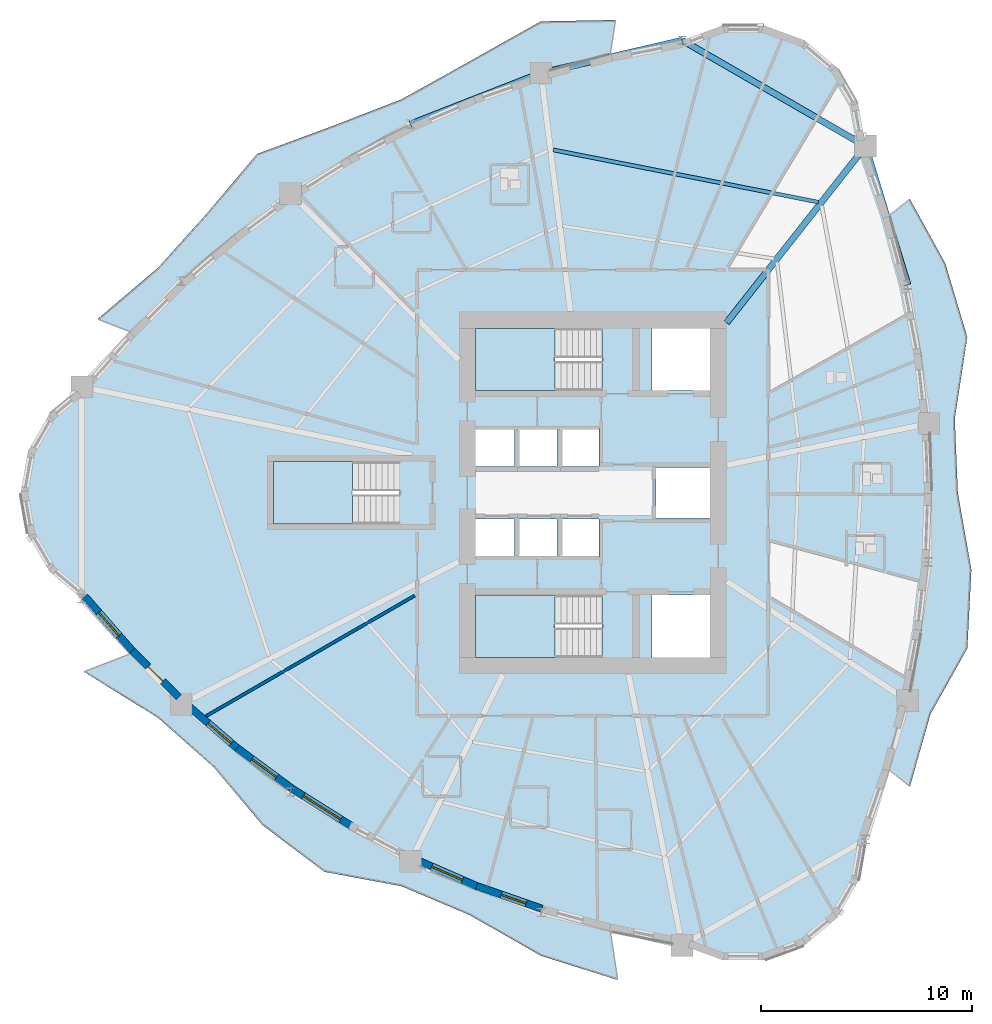
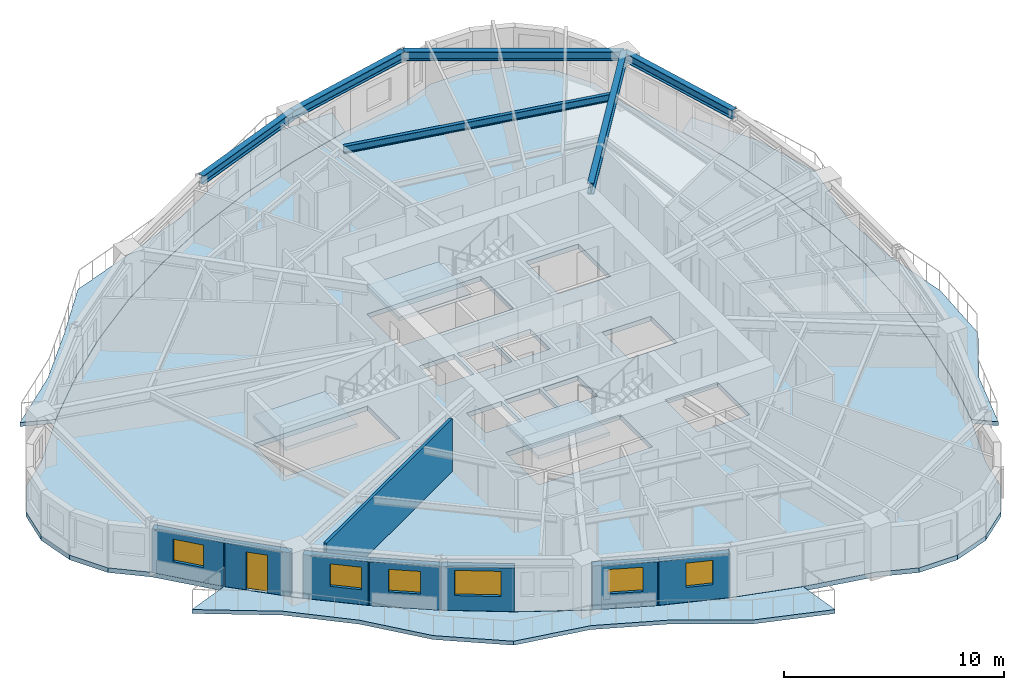
# One storey, part 2 of 13: 8 walls, 7 slabs, 6 beams, 6 windows, 1 door, 7 openings, 3 elements without a shape of their own.
"""IFC4 building model written with IfcOpenShell, lengths in metres."""

from ifc_helpers import new_model, si_unit, direction, frame, frame_2d, origin, origin_2d, place, context, subcontext, project, spatial, polyline, rectangle, i_section, outline, extrude, source, transform, mapped, material, layer, layer_set, material_profile, profile_set, type_object, element, fill, aggregate, save


model = new_model("IFC4")

# Units and contexts
model_context = context("Model", 3, precision=1e-05, world=origin(), true_north=direction((0.0, 1.0)))
body_context = subcontext(model_context, "Body", "Model", "MODEL_VIEW")
ifc_project = project(units=[si_unit("LENGTHUNIT", "METRE"), si_unit("AREAUNIT", "SQUARE_METRE"), si_unit("VOLUMEUNIT", "CUBIC_METRE"), si_unit("PLANEANGLEUNIT", "RADIAN"), si_unit("MASSUNIT", "GRAM", prefix="KILO")], contexts=[model_context])

# Site, building, storey
site_placement = place(None, origin())
site = spatial("IfcSite", under=ifc_project, at=site_placement, CompositionType="ELEMENT")
building_placement = place(site_placement, origin())
building = spatial("IfcBuilding", under=site, at=building_placement, Name="Qafzar Sky-Pleat Residences", CompositionType="ELEMENT")
storey_placement = place(building_placement, frame((0.0, 0.0, 49.39990234375)))
storey = spatial("IfcBuildingStorey", under=building, at=storey_placement, Name="L14", CompositionType="ELEMENT", Elevation=49.39990234375)

# Beams
ifc_material_1 = material(Name="Steel S355", Category="steel")
ifc_material_profile_1 = material_profile(ifc_material_1, i_section(OverallWidth=0.300048828125, OverallDepth=0.5, WebThickness=0.014404296875, FlangeThickness=0.028076171875, FilletRadius=0.027099609375, at=origin_2d()), Name="HEB 500")
ifc_profile_set_1 = profile_set([ifc_material_profile_1], Name="Steel S355")
beam_type_1 = type_object("IfcBeamType", Name="BM-SPAN-HEB500", PredefinedType="SPANDREL", material=ifc_profile_set_1)
shared_shape_1 = source(origin(), body_context, "Body", "SweptSolid", [
    extrude(i_section(OverallWidth=0.300048828125, OverallDepth=0.5, WebThickness=0.014404296875, FlangeThickness=0.028076171875, FilletRadius=0.027099609375, at=origin_2d()), origin(), (0.0, 0.0, 1.0), 10.0458984375),
])
beam_1_placement = place(storey_placement, frame((43.2900390625, 42.437255859375, 2.68798828125), z_axis=(-0.866024107753, 0.500002244785, 0.0), x_axis=(-0.500002244785, -0.866024107753, 0.0)))
element("IfcBeam", 1, at=beam_1_placement, inside=storey, type_object=beam_type_1, Name="L14 Perimeter Spandrel Beam 13", PredefinedType="SPANDREL", context=body_context, shape_type="MappedRepresentation", body=[
    mapped(shared_shape_1, transform((0.0, 0.0, 0.0), x_axis=(1.0, 0.0, 0.0), y_axis=(0.0, 1.0, 0.0), z_axis=(0.0, 0.0, 1.0), scale=1.0)),
])
shared_shape_2 = source(origin(), body_context, "Body", "SweptSolid", [
    extrude(i_section(OverallWidth=0.300048828125, OverallDepth=0.5, WebThickness=0.014404296875, FlangeThickness=0.028076171875, FilletRadius=0.027099609375, at=origin_2d()), origin(), (0.0, 0.0, 1.0), 6.8720703125),
])
for number, where, z_axis, x_axis, name in (
    (2, (45.288818359375, 35.8623046875, 2.68798828125), (-0.290856244324, 0.956766766322, 0.0), (-0.956766766322, -0.290856244324, 0.0), "L14 Perimeter Spandrel Beam 12"),
    (3, (34.590087890625, 47.460205078125, 2.68798828125), (-0.974016228914, -0.226478223705, 0.0), (0.226478223705, -0.974016228914, 0.0), "L14 Perimeter Spandrel Beam 14"),
):
    element("IfcBeam", number, at=place(storey_placement, frame(where, z_axis=z_axis, x_axis=x_axis)), inside=storey, type_object=beam_type_1, Name=name, PredefinedType="SPANDREL", context=body_context, shape_type="MappedRepresentation", body=[
        mapped(shared_shape_2, transform((0.0, 0.0, 0.0), x_axis=(1.0, 0.0, 0.0), y_axis=(0.0, 1.0, 0.0), z_axis=(0.0, 0.0, 1.0), scale=1.0)),
    ])
shared_shape_3 = source(origin(), body_context, "Body", "SweptSolid", [
    extrude(i_section(OverallWidth=0.300048828125, OverallDepth=0.5, WebThickness=0.014404296875, FlangeThickness=0.028076171875, FilletRadius=0.027099609375, at=origin_2d()), origin(), (0.0, 0.0, 1.0), 6.650390625),
])
beam_2_placement = place(storey_placement, frame((27.896484375, 45.90380859375, 2.68798828125), z_axis=(-0.931317505809, -0.364208324141, 0.0), x_axis=(0.364208324141, -0.931317505809, 0.0)))
element("IfcBeam", 4, at=beam_2_placement, inside=storey, type_object=beam_type_1, Name="L14 Perimeter Spandrel Beam 15", PredefinedType="SPANDREL", context=body_context, shape_type="MappedRepresentation", body=[
    mapped(shared_shape_3, transform((0.0, 0.0, 0.0), x_axis=(1.0, 0.0, 0.0), y_axis=(0.0, 1.0, 0.0), z_axis=(0.0, 0.0, 1.0), scale=1.0)),
])
ifc_material_profile_2 = material_profile(ifc_material_1, i_section(OverallWidth=0.300048828125, OverallDepth=0.60009765625, WebThickness=0.015380859375, FlangeThickness=0.030029296875, FilletRadius=0.027099609375, at=origin_2d()), Name="HEB 600")
ifc_profile_set_2 = profile_set([ifc_material_profile_2], Name="Steel S355")
beam_type_2 = type_object("IfcBeamType", Name="BM-GIRD-HEB600", PredefinedType="BEAM", material=ifc_profile_set_2)
shared_shape_4 = source(origin(), body_context, "Body", "SweptSolid", [
    extrude(i_section(OverallWidth=0.300048828125, OverallDepth=0.60009765625, WebThickness=0.015380859375, FlangeThickness=0.030029296875, FilletRadius=0.027099609375, at=origin_2d()), origin(), (0.0, 0.0, 1.0), 10.65380859375),
])
beam_3_placement = place(storey_placement, frame((43.2900390625, 42.437255859375, 2.63818359375), z_axis=(-0.618564121577, -0.785734323737, 0.0), x_axis=(0.785734323737, -0.618564121577, 0.0)))
element("IfcBeam", 5, at=beam_3_placement, inside=storey, type_object=beam_type_2, Name="L14 Radial Floor Girder 13", PredefinedType="BEAM", context=body_context, shape_type="MappedRepresentation", body=[
    mapped(shared_shape_4, transform((0.0, 0.0, 0.0), x_axis=(1.0, 0.0, 0.0), y_axis=(0.0, 1.0, 0.0), z_axis=(0.0, 0.0, 1.0), scale=1.0)),
])
ifc_material_profile_3 = material_profile(ifc_material_1, i_section(OverallWidth=0.179931640625, OverallDepth=0.39990234375, WebThickness=0.008544921875, FlangeThickness=0.013427734375, FilletRadius=0.02099609375, at=origin_2d()), Name="IPE 400")
ifc_profile_set_3 = profile_set([ifc_material_profile_3], Name="Steel S355")
beam_type_3 = type_object("IfcBeamType", Name="BM-JST-IPE400", PredefinedType="JOIST", material=ifc_profile_set_3)
shared_shape_5 = source(origin(), body_context, "Body", "SweptSolid", [
    extrude(i_section(OverallWidth=0.179931640625, OverallDepth=0.39990234375, WebThickness=0.008544921875, FlangeThickness=0.013427734375, FilletRadius=0.02099609375, at=origin_2d()), origin(), (0.0, 0.0, 1.0), 12.815185546875),
])
beam_4_placement = place(storey_placement, frame((41.048583984375, 39.78466796875, 2.738037109375), z_axis=(-0.981160312163, 0.19319534631, 0.0), x_axis=(-0.19319534631, -0.981160312163, 0.0)))
element("IfcBeam", 6, at=beam_4_placement, inside=storey, type_object=beam_type_3, Name="L14 Outer Secondary Floor Joist 7", PredefinedType="JOIST", context=body_context, shape_type="MappedRepresentation", body=[
    mapped(shared_shape_5, transform((0.0, 0.0, 0.0), x_axis=(1.0, 0.0, 0.0), y_axis=(0.0, 1.0, 0.0), z_axis=(0.0, 0.0, 1.0), scale=1.0)),
])

# Slabs
ifc_material_2 = material(Name="Concrete C40/50", Category="concrete")
ifc_layer_1 = layer(ifc_material_2, 0.219970703125)
ifc_layer_set_1 = layer_set([ifc_layer_1], Name="Concrete C40/50")
slab_type_1 = type_object("IfcSlabType", Name="SLAB-BAL-220", PredefinedType="USERDEFINED", material=ifc_layer_set_1)
slab_1_placement = place(storey_placement, frame((0.0, 0.0, -0.219970703125)))
element("IfcSlab", 7, at=slab_1_placement, inside=storey, type_object=slab_type_1, Name="L14 Pleated Stone Balcony 1", ObjectType="BALCONY", PredefinedType="USERDEFINED", context=body_context, shape_type="SweptSolid", body=[
    extrude(outline(polyline([(45.29931640625, 16.1318359375), (45.9248046875, 19.4208984375), (46.2998046875, 22.71044921875), (46.425048828125, 26.0), (46.2998046875, 29.28955078125), (45.9248046875, 32.5791015625), (45.29931640625, 35.8681640625), (44.423583984375, 39.1572265625), (45.389892578125, 39.93115234375), (47.069580078125, 36.878173828125), (48.11279296875, 33.382080078125), (47.518310546875, 29.508544921875), (47.6630859375, 26.0), (48.305908203125, 22.349853515625), (48.11279296875, 18.617919921875), (46.37451171875, 15.518310546875), (45.389892578125, 12.06884765625), (44.423583984375, 12.8427734375), (45.29931640625, 16.1318359375)])), origin(), (0.0, 0.0, 1.0), 0.219970703125),
])
slab_2_placement = place(storey_placement, frame((0.0, 0.0, -0.219970703125)))
element("IfcSlab", 8, at=slab_2_placement, inside=storey, type_object=slab_type_1, Name="L14 Pleated Stone Balcony 2", ObjectType="BALCONY", PredefinedType="USERDEFINED", context=body_context, shape_type="SweptSolid", body=[
    extrude(outline(polyline([(27.896484375, 45.915771484375), (24.735107421875, 44.812744140625), (21.69873046875, 43.492919921875), (18.78759765625, 41.95654296875), (16.001220703125, 40.20361328125), (13.340087890625, 38.233642578125), (10.80419921875, 36.047607421875), (8.3935546875, 33.644775390625), (6.867431640625, 34.23974609375), (9.7353515625, 36.672119140625), (12.08251953125, 39.283203125), (14.427734375, 42.06591796875), (17.968505859375, 43.375), (21.279296875, 44.65771484375), (24.455078125, 46.426513671875), (27.8837890625, 48.353759765625), (31.430419921875, 48.421142578125), (31.1826171875, 46.802001953125), (27.896484375, 45.915771484375)])), origin(), (0.0, 0.0, 1.0), 0.219970703125),
])
slab_3_placement = place(storey_placement, frame((0.0, 0.0, -0.219970703125)))
element("IfcSlab", 9, at=slab_3_placement, inside=storey, type_object=slab_type_1, Name="L14 Pleated Stone Balcony 3", ObjectType="BALCONY", PredefinedType="USERDEFINED", context=body_context, shape_type="SweptSolid", body=[
    extrude(outline(polyline([(10.80419921875, 15.952392578125), (13.340087890625, 13.766357421875), (16.001220703125, 11.79638671875), (18.78759765625, 10.04345703125), (21.69873046875, 8.507080078125), (24.735107421875, 7.187255859375), (27.896484375, 6.084228515625), (31.1826171875, 5.197998046875), (31.53515625, 2.89404296875), (27.885986328125, 4.04638671875), (24.523681640625, 5.967529296875), (21.279296875, 7.34228515625), (17.6220703125, 8.02490234375), (14.68603515625, 10.23974609375), (12.3896484375, 12.97314453125), (9.7353515625, 15.327880859375), (6.221923828125, 17.508544921875), (8.3935546875, 18.355224609375), (10.80419921875, 15.952392578125)])), origin(), (0.0, 0.0, 1.0), 0.219970703125),
])
ifc_layer_2 = layer(ifc_material_2, 0.260009765625)
ifc_layer_set_2 = layer_set([ifc_layer_2], Name="Concrete C40/50")
slab_type_2 = type_object("IfcSlabType", Name="SLAB-FLR-260", PredefinedType="FLOOR", material=ifc_layer_set_2)
slab_4_placement = place(storey_placement, frame((0.0, 0.0, -0.260009765625)))
element("IfcSlab", 10, at=slab_4_placement, inside=storey, type_object=slab_type_2, Name="L14 Structural Floor Slab", PredefinedType="FLOOR", context=body_context, shape_type="SweptSolid", body=[
    extrude(outline(polyline([(6.1201171875, 31.02294921875), (4.576904296875, 29.728271484375), (3.56982421875, 27.983642578125), (3.219970703125, 26.0), (3.56982421875, 24.016357421875), (4.576904296875, 22.271728515625), (6.1201171875, 20.97705078125), (8.40478515625, 18.359619140625), (10.814697265625, 15.95849609375), (13.349365234375, 13.77392578125), (16.0087890625, 11.8056640625), (18.79345703125, 10.0537109375), (21.702880859375, 8.518310546875), (24.7373046875, 7.19921875), (27.896484375, 6.09619140625), (31.180908203125, 5.2099609375), (34.590087890625, 4.539794921875), (36.48291015625, 3.85107421875), (38.497314453125, 3.85107421875), (40.389892578125, 4.539794921875), (41.93310546875, 5.834716796875), (42.940185546875, 7.5791015625), (43.2900390625, 9.562744140625), (44.414306640625, 12.850341796875), (45.288818359375, 16.1376953125), (45.913330078125, 19.425048828125), (46.2880859375, 22.712646484375), (46.4130859375, 26.0), (46.2880859375, 29.287353515625), (45.913330078125, 32.574951171875), (45.288818359375, 35.8623046875), (44.414306640625, 39.149658203125), (43.2900390625, 42.437255859375), (42.940185546875, 44.4208984375), (41.93310546875, 46.165283203125), (40.389892578125, 47.460205078125), (38.497314453125, 48.14892578125), (36.48291015625, 48.14892578125), (34.590087890625, 47.460205078125), (31.180908203125, 46.7900390625), (27.896484375, 45.90380859375), (24.7373046875, 44.80078125), (21.702880859375, 43.481689453125), (18.79345703125, 41.9462890625), (16.0087890625, 40.1943359375), (13.349365234375, 38.22607421875), (10.814697265625, 36.04150390625), (8.40478515625, 33.640380859375), (6.1201171875, 31.02294921875)]), holes=[polyline([(30.797119140625, 21.14990234375), (24.800048828125, 21.14990234375), (24.800048828125, 18.199951171875), (30.797119140625, 18.199951171875), (30.797119140625, 21.14990234375)]), polyline([(30.797119140625, 33.800048828125), (24.800048828125, 33.800048828125), (24.800048828125, 30.85009765625), (30.797119140625, 30.85009765625), (30.797119140625, 33.800048828125)]), polyline([(21.197021484375, 27.47509765625), (15.199951171875, 27.47509765625), (15.199951171875, 24.52490234375), (21.197021484375, 24.52490234375), (21.197021484375, 27.47509765625)]), polyline([(24.800048828125, 22.949951171875), (26.64990234375, 22.949951171875), (26.64990234375, 24.75), (24.800048828125, 24.75), (24.800048828125, 22.949951171875)]), polyline([(26.800048828125, 22.949951171875), (28.64990234375, 22.949951171875), (28.64990234375, 24.75), (26.800048828125, 24.75), (26.800048828125, 22.949951171875)]), polyline([(28.800048828125, 22.949951171875), (30.64990234375, 22.949951171875), (30.64990234375, 24.75), (28.800048828125, 24.75), (28.800048828125, 22.949951171875)]), polyline([(24.800048828125, 27.25), (26.64990234375, 27.25), (26.64990234375, 29.050048828125), (24.800048828125, 29.050048828125), (24.800048828125, 27.25)]), polyline([(26.800048828125, 27.25), (28.64990234375, 27.25), (28.64990234375, 29.050048828125), (26.800048828125, 29.050048828125), (26.800048828125, 27.25)]), polyline([(28.800048828125, 27.25), (30.64990234375, 27.25), (30.64990234375, 29.050048828125), (28.800048828125, 29.050048828125), (28.800048828125, 27.25)]), polyline([(33.14990234375, 18.199951171875), (35.89990234375, 18.199951171875), (35.89990234375, 21.14990234375), (33.14990234375, 21.14990234375), (33.14990234375, 18.199951171875)]), polyline([(33.14990234375, 30.85009765625), (35.89990234375, 30.85009765625), (35.89990234375, 33.800048828125), (33.14990234375, 33.800048828125), (33.14990234375, 30.85009765625)]), polyline([(33.35009765625, 24.800048828125), (35.89990234375, 24.800048828125), (35.89990234375, 27.199951171875), (33.35009765625, 27.199951171875), (33.35009765625, 24.800048828125)])]), origin(), (0.0, 0.0, 1.0), 0.260009765625),
])

# Stair, slab
stair_type = type_object("IfcStairType", Name="STAIR-H320", PredefinedType="HALF_TURN_STAIR", material=ifc_material_2)
stair_1_placement = place(storey_placement, origin())
stair_1 = element("IfcStair", 11, at=stair_1_placement, inside=storey, type_object=stair_type, Name="L14 Protected Exit Stair ST1", PredefinedType="HALF_TURN_STAIR")
ifc_layer_3 = layer(ifc_material_2, 0.199951171875)
ifc_layer_set_3 = layer_set([ifc_layer_3], Name="Concrete C40/50")
slab_type_3 = type_object("IfcSlabType", Name="SLAB-LANDING-200", PredefinedType="LANDING", material=ifc_layer_set_3)
slab_5_placement = place(storey_placement, frame((0.0, 0.0, 1.400146484375)))
slab_5 = element("IfcSlab", 12, at=slab_5_placement, type_object=slab_type_3, Name="ST1 landing 1", PredefinedType="LANDING", context=body_context, shape_type="SweptSolid", body=[
    extrude(outline(polyline([(28.56005859375, 21.14990234375), (24.800048828125, 21.14990234375), (24.800048828125, 18.199951171875), (28.56005859375, 18.199951171875), (28.56005859375, 21.14990234375)])), origin(), (0.0, 0.0, 1.0), 0.199951171875),
])
aggregate(stair_1, [slab_5])

stair_2_placement = place(storey_placement, origin())
stair_2 = element("IfcStair", 13, at=stair_2_placement, inside=storey, type_object=stair_type, Name="L14 Protected Exit Stair ST2", PredefinedType="HALF_TURN_STAIR")
slab_6_placement = place(storey_placement, frame((0.0, 0.0, 1.400146484375)))
slab_6 = element("IfcSlab", 14, at=slab_6_placement, type_object=slab_type_3, Name="ST2 landing 1", PredefinedType="LANDING", context=body_context, shape_type="SweptSolid", body=[
    extrude(outline(polyline([(28.56005859375, 33.800048828125), (24.800048828125, 33.800048828125), (24.800048828125, 30.85009765625), (28.56005859375, 30.85009765625), (28.56005859375, 33.800048828125)])), origin(), (0.0, 0.0, 1.0), 0.199951171875),
])
aggregate(stair_2, [slab_6])

stair_3_placement = place(storey_placement, origin())
stair_3 = element("IfcStair", 15, at=stair_3_placement, inside=storey, type_object=stair_type, Name="L14 Protected Exit Stair ST3", PredefinedType="HALF_TURN_STAIR")
slab_7_placement = place(storey_placement, frame((0.0, 0.0, 1.400146484375)))
slab_7 = element("IfcSlab", 16, at=slab_7_placement, type_object=slab_type_3, Name="ST3 landing 1", PredefinedType="LANDING", context=body_context, shape_type="SweptSolid", body=[
    extrude(outline(polyline([(18.9599609375, 27.47509765625), (15.199951171875, 27.47509765625), (15.199951171875, 24.52490234375), (18.9599609375, 24.52490234375), (18.9599609375, 27.47509765625)])), origin(), (0.0, 0.0, 1.0), 0.199951171875),
])
aggregate(stair_3, [slab_7])

# Wall
ifc_material_3 = material(Name="Acoustic gypsum plasterboard partition", Category="gypsum")
ifc_layer_4 = layer(ifc_material_3, 0.14501953125)
ifc_layer_set_4 = layer_set([ifc_layer_4], Name="Acoustic gypsum plasterboard partition")
wall_type_1 = type_object("IfcWallType", Name="PART-UNIT-145", PredefinedType="PARTITIONING", material=ifc_layer_set_4)
wall_1_placement = place(storey_placement, frame((12.0087890625, 15.406494140625, 0.0), z_axis=(0.0, 0.0, 1.0), x_axis=(0.865925986209, 0.500172156771, 0.0)))
element("IfcWall", 17, at=wall_1_placement, inside=storey, type_object=wall_type_1, Name="L14 Partition Wall PART-L14-PW-033", PredefinedType="PARTITIONING", context=body_context, shape_type="SweptSolid", body=[
    extrude(rectangle(XDim=11.4189453125, YDim=0.14501953125, at=frame_2d((5.70947265625, 0.0))), origin(), (0.0, 0.0, 1.0), 2.940185546875),
])

# Wall, opening, window
ifc_material_4 = material(Name="Precast concrete C40/50 with honed Riyadh limestone", Category="concrete")
ifc_layer_5 = layer(ifc_material_4, 0.35009765625)
ifc_layer_set_5 = layer_set([ifc_layer_5], Name="Precast concrete C40/50 with honed Riyadh limestone")
wall_type_2 = type_object("IfcWallType", Name="WALL-EXT-350", PredefinedType="SOLIDWALL", material=ifc_layer_set_5)
wall_2_placement = place(storey_placement, frame((6.264892578125, 21.0771484375, 0.0), z_axis=(0.0, 0.0, 1.0), x_axis=(0.657633089408, -0.753338383275, 0.0)))
wall_2 = element("IfcWall", 18, at=wall_2_placement, inside=storey, type_object=wall_type_2, Name="L14 Limestone Facade Wall 7", PredefinedType="SOLIDWALL", context=body_context, shape_type="SweptSolid", body=[
    extrude(rectangle(XDim=3.4921875, YDim=0.35009765625, at=frame_2d((1.74609375, 0.0))), origin(), (0.0, 0.0, 1.0), 2.420166015625),
])
opening_1_placement = place(wall_2_placement, frame((1.01123046875, 0.0, 0.820068359375)))
opening_1 = element("IfcOpeningElement", 19, at=opening_1_placement, cuts=wall_2, Name="Opening WN-15", PredefinedType="OPENING", context=body_context, shape_type="SweptSolid", body=[
    extrude(rectangle(XDim=1.449951171875, YDim=1.25, at=frame_2d((0.72509765625, 0.625))), frame((0.0, 0.18505859375, 0.0), z_axis=(0.0, -1.0, 0.0), x_axis=(1.0, 0.0, 0.0)), (0.0, 0.0, 1.0), 0.3701171875),
])
ifc_material_5 = material(Name="Solar-control low-E glass in bronze aluminium frame", Category="glass")
window_type_1 = type_object("IfcWindowType", Name="WIN-15", PartitioningType="SINGLE_PANEL", PredefinedType="WINDOW", material=ifc_material_5)
shared_shape_6 = source(origin(), body_context, "Body", "SweptSolid", [
    extrude(rectangle(XDim=1.449951171875, YDim=1.25, at=frame_2d((0.72509765625, 0.625))), frame((0.0, 0.030029296875, 0.0), z_axis=(0.0, -1.0, 0.0), x_axis=(1.0, 0.0, 0.0)), (0.0, 0.0, 1.0), 0.06005859375),
])
window_1_placement = place(opening_1_placement, origin())
window_1 = element("IfcWindow", 20, at=window_1_placement, inside=storey, type_object=window_type_1, Name="L14 Punched Facade Window 07", OverallHeight=1.25, OverallWidth=1.449951171875, PartitioningType="SINGLE_PANEL", PredefinedType="WINDOW", context=body_context, shape_type="MappedRepresentation", body=[
    mapped(shared_shape_6, transform((0.0, 0.0, 0.0), x_axis=(1.0, 0.0, 0.0), y_axis=(0.0, 1.0, 0.0), z_axis=(0.0, 0.0, 1.0), scale=1.0)),
])
fill(opening_1, window_1)

# Wall, opening, door
wall_3_placement = place(storey_placement, frame((8.50146484375, 18.510498046875, 0.0), z_axis=(0.0, 0.0, 1.0), x_axis=(0.708349769787, -0.705861603746, 0.0)))
wall_3 = element("IfcWall", 21, at=wall_3_placement, inside=storey, type_object=wall_type_2, Name="L14 Limestone Facade Wall 8", PredefinedType="SOLIDWALL", context=body_context, shape_type="SweptSolid", body=[
    extrude(rectangle(XDim=3.139892578125, YDim=0.35009765625, at=frame_2d((1.56982421875, 0.0))), origin(), (0.0, 0.0, 1.0), 2.420166015625),
])
opening_2_placement = place(wall_3_placement, frame((1.06982421875, 0.0, 0.0)))
opening_2 = element("IfcOpeningElement", 22, at=opening_2_placement, cuts=wall_3, Name="Opening ED-05", PredefinedType="OPENING", context=body_context, shape_type="SweptSolid", body=[
    extrude(rectangle(XDim=1.0, YDim=2.10009765625, at=frame_2d((0.5, 1.050048828125))), frame((0.0, 0.18505859375, 0.0), z_axis=(0.0, -1.0, 0.0), x_axis=(1.0, 0.0, 0.0)), (0.0, 0.0, 1.0), 0.3701171875),
])
ifc_material_6 = material(Name="Glazed bronze aluminium door", Category="aluminium")
door_type = type_object("IfcDoorType", Name="DR-BAL-1000", OperationType="NOTDEFINED", PredefinedType="DOOR", material=ifc_material_6)
shared_shape_7 = source(origin(), body_context, "Body", "SweptSolid", [
    extrude(rectangle(XDim=1.0, YDim=2.10009765625, at=frame_2d((0.5, 1.050048828125))), frame((0.0, 0.02490234375, 0.0), z_axis=(0.0, -1.0, 0.0), x_axis=(1.0, 0.0, 0.0)), (0.0, 0.0, 1.0), 0.050048828125),
])
door_placement = place(opening_2_placement, origin())
door = element("IfcDoor", 23, at=door_placement, inside=storey, type_object=door_type, Name="L14 Glazed Balcony Door 3", OperationType="SINGLE_SWING_LEFT", OverallHeight=2.10009765625, OverallWidth=1.0, PredefinedType="DOOR", context=body_context, shape_type="MappedRepresentation", body=[
    mapped(shared_shape_7, transform((0.0, 0.0, 0.0), x_axis=(1.0, 0.0, 0.0), y_axis=(0.0, 1.0, 0.0), z_axis=(0.0, 0.0, 1.0), scale=1.0)),
])
fill(opening_2, door)

# Wall, opening, window
wall_4_placement = place(storey_placement, frame((11.156005859375, 15.895263671875, 0.0), z_axis=(0.0, 0.0, 1.0), x_axis=(0.757493652432, -0.652842528123, 0.0)))
wall_4 = element("IfcWall", 24, at=wall_4_placement, inside=storey, type_object=wall_type_2, Name="L14 Limestone Facade Wall 9", PredefinedType="SOLIDWALL", context=body_context, shape_type="SweptSolid", body=[
    extrude(rectangle(XDim=3.083984375, YDim=0.35009765625, at=frame_2d((1.5419921875, 0.0))), origin(), (0.0, 0.0, 1.0), 2.420166015625),
])
opening_3_placement = place(wall_4_placement, frame((1.256103515625, 0.0, 0.820068359375)))
opening_3 = element("IfcOpeningElement", 25, at=opening_3_placement, cuts=wall_4, Name="Opening WN-15", PredefinedType="OPENING", context=body_context, shape_type="SweptSolid", body=[
    extrude(rectangle(XDim=1.449951171875, YDim=1.25, at=frame_2d((0.72509765625, 0.625))), frame((0.0, 0.18505859375, 0.0), z_axis=(0.0, -1.0, 0.0), x_axis=(1.0, 0.0, 0.0)), (0.0, 0.0, 1.0), 0.3701171875),
])
window_2_placement = place(opening_3_placement, origin())
window_2 = element("IfcWindow", 26, at=window_2_placement, inside=storey, type_object=window_type_1, Name="L14 Punched Facade Window 09-2", OverallHeight=1.25, OverallWidth=1.449951171875, PartitioningType="SINGLE_PANEL", PredefinedType="WINDOW", context=body_context, shape_type="MappedRepresentation", body=[
    mapped(shared_shape_6, transform((0.0, 0.0, 0.0), x_axis=(1.0, 0.0, 0.0), y_axis=(0.0, 1.0, 0.0), z_axis=(0.0, 0.0, 1.0), scale=1.0)),
])
fill(opening_3, window_2)

wall_5_placement = place(storey_placement, frame((13.4228515625, 13.937255859375, 0.0), z_axis=(0.0, 0.0, 1.0), x_axis=(0.803814527371, -0.594879992593, 0.0)))
wall_5 = element("IfcWall", 27, at=wall_5_placement, inside=storey, type_object=wall_type_2, Name="L14 Limestone Facade Wall 10", PredefinedType="SOLIDWALL", context=body_context, shape_type="SweptSolid", body=[
    extrude(rectangle(XDim=3.32666015625, YDim=0.35009765625, at=frame_2d((1.663330078125, 0.0))), origin(), (0.0, 0.0, 1.0), 2.420166015625),
])
opening_4_placement = place(wall_5_placement, frame((0.948486328125, 0.0, 0.820068359375)))
opening_4 = element("IfcOpeningElement", 28, at=opening_4_placement, cuts=wall_5, Name="Opening WN-15", PredefinedType="OPENING", context=body_context, shape_type="SweptSolid", body=[
    extrude(rectangle(XDim=1.449951171875, YDim=1.25, at=frame_2d((0.72509765625, 0.625))), frame((0.0, 0.18505859375, 0.0), z_axis=(0.0, -1.0, 0.0), x_axis=(1.0, 0.0, 0.0)), (0.0, 0.0, 1.0), 0.3701171875),
])
window_3_placement = place(opening_4_placement, origin())
window_3 = element("IfcWindow", 29, at=window_3_placement, inside=storey, type_object=window_type_1, Name="L14 Punched Facade Window 10", OverallHeight=1.25, OverallWidth=1.449951171875, PartitioningType="SINGLE_PANEL", PredefinedType="WINDOW", context=body_context, shape_type="MappedRepresentation", body=[
    mapped(shared_shape_6, transform((0.0, 0.0, 0.0), x_axis=(1.0, 0.0, 0.0), y_axis=(0.0, 1.0, 0.0), z_axis=(0.0, 0.0, 1.0), scale=1.0)),
])
fill(opening_4, window_3)

wall_6_placement = place(storey_placement, frame((16.118896484375, 11.943115234375, 0.0), z_axis=(0.0, 0.0, 1.0), x_axis=(0.846439828925, -0.532484381, 0.0)))
wall_6 = element("IfcWall", 30, at=wall_6_placement, inside=storey, type_object=wall_type_2, Name="L14 Limestone Facade Wall 11", PredefinedType="SOLIDWALL", context=body_context, shape_type="SweptSolid", body=[
    extrude(rectangle(XDim=3.30810546875, YDim=0.35009765625, at=frame_2d((1.654052734375, 0.0))), origin(), (0.0, 0.0, 1.0), 2.420166015625),
])
opening_5_placement = place(wall_6_placement, frame((0.593994140625, 0.0, 0.820068359375)))
opening_5 = element("IfcOpeningElement", 31, at=opening_5_placement, cuts=wall_6, Name="Opening WN-07", PredefinedType="OPENING", context=body_context, shape_type="SweptSolid", body=[
    extrude(rectangle(XDim=2.10009765625, YDim=1.39990234375, at=frame_2d((1.050048828125, 0.699951171875))), frame((0.0, 0.18505859375, 0.0), z_axis=(0.0, -1.0, 0.0), x_axis=(1.0, 0.0, 0.0)), (0.0, 0.0, 1.0), 0.3701171875),
])
window_type_2 = type_object("IfcWindowType", Name="WIN-07", PartitioningType="DOUBLE_PANEL_VERTICAL", PredefinedType="WINDOW", material=ifc_material_5)
shared_shape_8 = source(origin(), body_context, "Body", "SweptSolid", [
    extrude(rectangle(XDim=2.10009765625, YDim=1.39990234375, at=frame_2d((1.050048828125, 0.699951171875))), frame((0.0, 0.030029296875, 0.0), z_axis=(0.0, -1.0, 0.0), x_axis=(1.0, 0.0, 0.0)), (0.0, 0.0, 1.0), 0.06005859375),
])
window_4_placement = place(opening_5_placement, origin())
window_4 = element("IfcWindow", 32, at=window_4_placement, inside=storey, type_object=window_type_2, Name="L14 Punched Facade Window 11", OverallHeight=1.39990234375, OverallWidth=2.10009765625, PartitioningType="SINGLE_PANEL", PredefinedType="WINDOW", context=body_context, shape_type="MappedRepresentation", body=[
    mapped(shared_shape_8, transform((0.0, 0.0, 0.0), x_axis=(1.0, 0.0, 0.0), y_axis=(0.0, 1.0, 0.0), z_axis=(0.0, 0.0, 1.0), scale=1.0)),
])
fill(opening_5, window_4)

wall_7_placement = place(storey_placement, frame((22.0478515625, 8.55908203125, 0.0), z_axis=(0.0, 0.0, 1.0), x_axis=(0.9170891658, -0.398682156576, 0.0)))
wall_7 = element("IfcWall", 33, at=wall_7_placement, inside=storey, type_object=wall_type_2, Name="L14 Limestone Facade Wall 13", PredefinedType="SOLIDWALL", context=body_context, shape_type="SweptSolid", body=[
    extrude(rectangle(XDim=3.046630859375, YDim=0.35009765625, at=frame_2d((1.5234375, 0.0))), origin(), (0.0, 0.0, 1.0), 2.420166015625),
])
opening_6_placement = place(wall_7_placement, frame((0.718505859375, 0.0, 0.820068359375)))
opening_6 = element("IfcOpeningElement", 34, at=opening_6_placement, cuts=wall_7, Name="Opening WN-09", PredefinedType="OPENING", context=body_context, shape_type="SweptSolid", body=[
    extrude(rectangle(XDim=1.60009765625, YDim=1.35009765625, at=frame_2d((0.800048828125, 0.675048828125))), frame((0.0, 0.18505859375, 0.0), z_axis=(0.0, -1.0, 0.0), x_axis=(1.0, 0.0, 0.0)), (0.0, 0.0, 1.0), 0.3701171875),
])
window_type_3 = type_object("IfcWindowType", Name="WIN-09", PartitioningType="DOUBLE_PANEL_VERTICAL", PredefinedType="WINDOW", material=ifc_material_5)
shared_shape_9 = source(origin(), body_context, "Body", "SweptSolid", [
    extrude(rectangle(XDim=1.60009765625, YDim=1.35009765625, at=frame_2d((0.800048828125, 0.675048828125))), frame((0.0, 0.030029296875, 0.0), z_axis=(0.0, -1.0, 0.0), x_axis=(1.0, 0.0, 0.0)), (0.0, 0.0, 1.0), 0.06005859375),
])
window_5_placement = place(opening_6_placement, origin())
window_5 = element("IfcWindow", 35, at=window_5_placement, inside=storey, type_object=window_type_3, Name="L14 Punched Facade Window 13", OverallHeight=1.35009765625, OverallWidth=1.60009765625, PartitioningType="SINGLE_PANEL", PredefinedType="WINDOW", context=body_context, shape_type="MappedRepresentation", body=[
    mapped(shared_shape_9, transform((0.0, 0.0, 0.0), x_axis=(1.0, 0.0, 0.0), y_axis=(0.0, 1.0, 0.0), z_axis=(0.0, 0.0, 1.0), scale=1.0)),
])
fill(opening_6, window_5)

wall_8_placement = place(storey_placement, frame((24.759033203125, 7.376708984375, 0.0), z_axis=(0.0, 0.0, 1.0), x_axis=(0.94414085716, -0.329542170051, 0.0)))
wall_8 = element("IfcWall", 36, at=wall_8_placement, inside=storey, type_object=wall_type_2, Name="L14 Limestone Facade Wall 14", PredefinedType="SOLIDWALL", context=body_context, shape_type="SweptSolid", body=[
    extrude(rectangle(XDim=3.3642578125, YDim=0.35009765625, at=frame_2d((1.68212890625, 0.0))), origin(), (0.0, 0.0, 1.0), 2.420166015625),
])
opening_7_placement = place(wall_8_placement, frame((1.323974609375, 0.0, 0.820068359375)))
opening_7 = element("IfcOpeningElement", 37, at=opening_7_placement, cuts=wall_8, Name="Opening WN-11", PredefinedType="OPENING", context=body_context, shape_type="SweptSolid", body=[
    extrude(rectangle(XDim=1.25, YDim=1.35009765625, at=frame_2d((0.625, 0.675048828125))), frame((0.0, 0.18505859375, 0.0), z_axis=(0.0, -1.0, 0.0), x_axis=(1.0, 0.0, 0.0)), (0.0, 0.0, 1.0), 0.3701171875),
])
window_type_4 = type_object("IfcWindowType", Name="WIN-11", PartitioningType="SINGLE_PANEL", PredefinedType="WINDOW", material=ifc_material_5)
shared_shape_10 = source(origin(), body_context, "Body", "SweptSolid", [
    extrude(rectangle(XDim=1.25, YDim=1.35009765625, at=frame_2d((0.625, 0.675048828125))), frame((0.0, 0.030029296875, 0.0), z_axis=(0.0, -1.0, 0.0), x_axis=(1.0, 0.0, 0.0)), (0.0, 0.0, 1.0), 0.06005859375),
])
window_6_placement = place(opening_7_placement, origin())
window_6 = element("IfcWindow", 38, at=window_6_placement, inside=storey, type_object=window_type_4, Name="L14 Punched Facade Window 14-2", OverallHeight=1.35009765625, OverallWidth=1.25, PartitioningType="SINGLE_PANEL", PredefinedType="WINDOW", context=body_context, shape_type="MappedRepresentation", body=[
    mapped(shared_shape_10, transform((0.0, 0.0, 0.0), x_axis=(1.0, 0.0, 0.0), y_axis=(0.0, 1.0, 0.0), z_axis=(0.0, 0.0, 1.0), scale=1.0)),
])
fill(opening_7, window_6)

save(model, "model.ifc")
